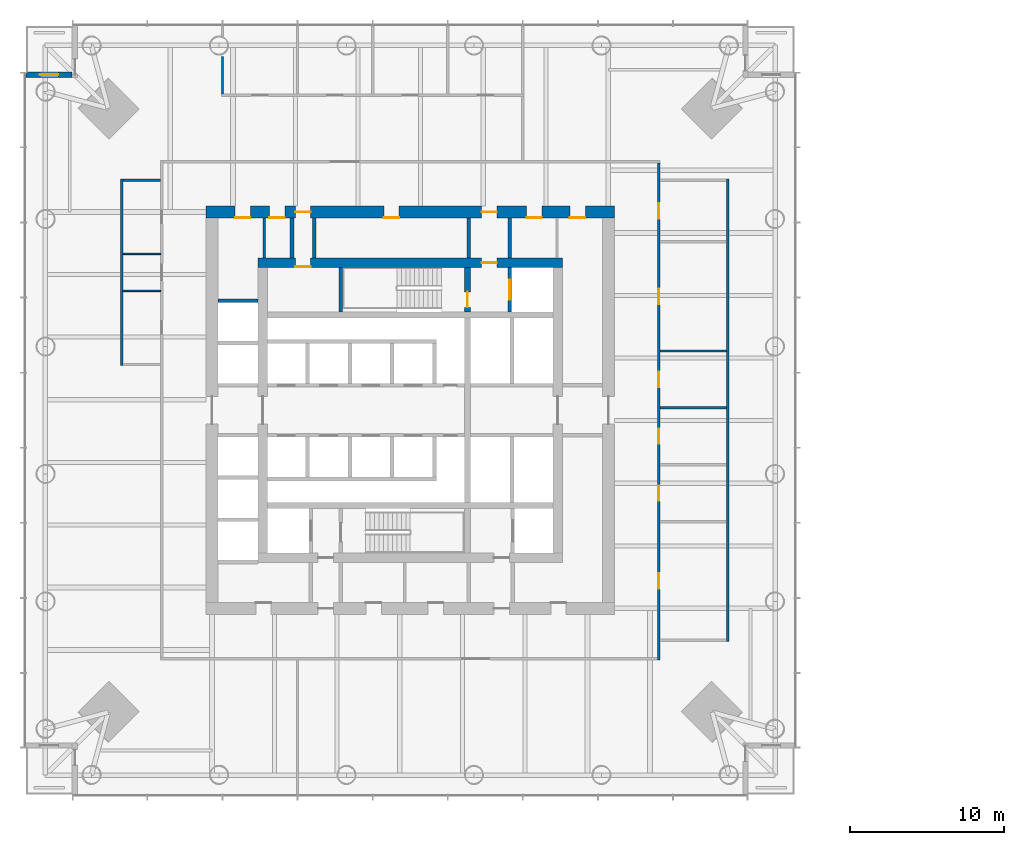
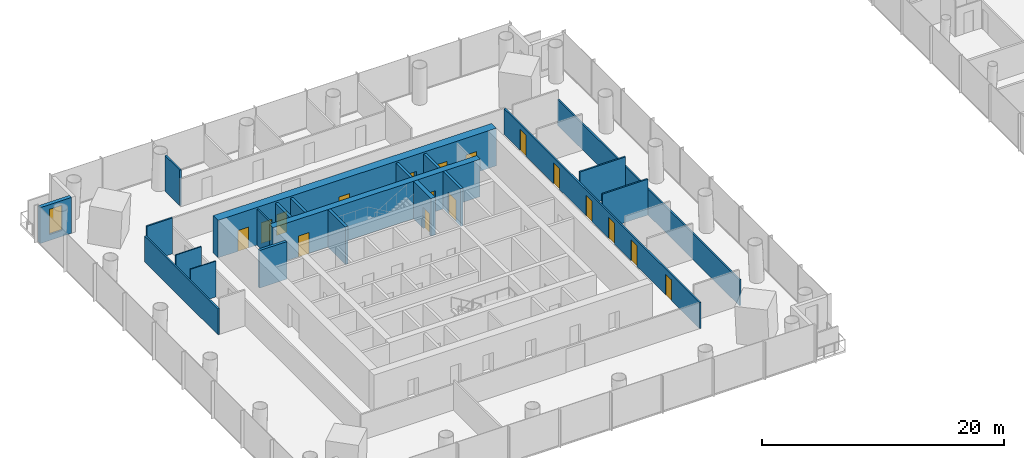
# One storey, part 11 of 20: 21 walls, 17 doors, 1 window, 18 openings.
"""IFC4 building model written with IfcOpenShell, lengths in metres."""

from ifc_helpers import new_model, si_unit, direction, frame, frame_2d, origin, place, context, subcontext, project, spatial, rectangle, extrude, material, layer, layer_set, type_object, element, fill, save


model = new_model("IFC4")

# Units and contexts
model_context = context("Model", 3, precision=1e-05, world=origin(), true_north=direction((0.0, 1.0)))
body_context = subcontext(model_context, "Body", "Model", "MODEL_VIEW")
ifc_project = project(units=[si_unit("LENGTHUNIT", "METRE"), si_unit("AREAUNIT", "SQUARE_METRE"), si_unit("VOLUMEUNIT", "CUBIC_METRE"), si_unit("PLANEANGLEUNIT", "RADIAN"), si_unit("MASSUNIT", "GRAM", prefix="KILO")], contexts=[model_context])

# Site, building, storey
site_placement = place(None, origin())
site = spatial("IfcSite", under=ifc_project, at=site_placement, CompositionType="ELEMENT")
building_placement = place(site_placement, origin())
building = spatial("IfcBuilding", under=site, at=building_placement, Name="Ostroluk Exchange", CompositionType="ELEMENT")
storey_placement = place(building_placement, frame((0.0, 0.0, 28.60009765625)))
storey = spatial("IfcBuildingStorey", under=building, at=storey_placement, Name="L06", CompositionType="ELEMENT", Elevation=28.60009765625)

# Walls
ifc_material_1 = material(Name="Concrete blockwork", Category="masonry")
ifc_layer_1 = layer(ifc_material_1, 0.10009765625)
ifc_layer_set_1 = layer_set([ifc_layer_1], Name="Blockwork WC wall 100")
wall_type_1 = type_object("IfcWallType", Name="Blockwork WC wall 100", PredefinedType="SOLIDWALL", material=ifc_layer_set_1)
for number, where, z_axis, x_axis, name in (
    (1, (28.75, 56.175048828125, 0.0), (0.0, 0.0, 1.0), (-1.0, 0.0, 0.0), "Blockwork WC wall"),
    (2, (28.75, 53.77490234375, 0.0), (0.0, 0.0, 1.0), (-1.0, 0.0, 0.0), "Blockwork WC wall"),
):
    element("IfcWall", number, at=place(storey_placement, frame(where, z_axis=z_axis, x_axis=x_axis)), inside=storey, type_object=wall_type_1, Name=name, PredefinedType="SOLIDWALL", context=body_context, shape_type="SweptSolid", body=[
        extrude(rectangle(XDim=2.449951171875, YDim=0.10009765625, at=frame_2d((1.22509765625, 0.0))), origin(), (0.0, 0.0, 1.0), 3.619873046875),
    ])
ifc_material_2 = material(Name="Concrete blockwork", Category="masonry")
ifc_layer_2 = layer(ifc_material_2, 0.14990234375)
ifc_layer_set_2 = layer_set([ifc_layer_2], Name="Blockwork plant room wall 150")
wall_type_2 = type_object("IfcWallType", Name="Blockwork plant room wall 150", PredefinedType="SOLIDWALL", material=ifc_layer_set_2)
wall_1_placement = place(storey_placement, frame((35.491943359375, 55.89990234375, 0.0), z_axis=(0.0, 0.0, 1.0), x_axis=(0.0, 1.0, 0.0)))
element("IfcWall", 3, at=wall_1_placement, inside=storey, type_object=wall_type_2, Name="Core room wall", PredefinedType="SOLIDWALL", context=body_context, shape_type="SweptSolid", body=[
    extrude(rectangle(XDim=2.60009765625, YDim=0.14990234375, at=frame_2d((1.300048828125, 0.0))), origin(), (0.0, 0.0, 1.0), 3.619873046875),
])
ifc_material_3 = material(Name="Concrete blockwork", Category="masonry")
ifc_layer_3 = layer(ifc_material_3, 0.25)
ifc_layer_set_3 = layer_set([ifc_layer_3], Name="Blockwork stair enclosure wall 250")
wall_type_3 = type_object("IfcWallType", Name="Blockwork stair enclosure wall 250", PredefinedType="SOLIDWALL", material=ifc_layer_set_3)
for number, where, z_axis, x_axis, name in (
    (4, (48.804931640625, 55.89990234375, 0.0), (0.0, 0.0, 1.0), (0.0, 1.0, 0.0), "Fire lobby enclosure wall"),
    (5, (51.47509765625, 55.89990234375, 0.0), (0.0, 0.0, 1.0), (0.0, 1.0, 0.0), "Fire lobby enclosure wall"),
    (6, (37.300048828125, 55.89990234375, 0.0), (0.0, 0.0, 1.0), (0.0, 1.0, 0.0), "Core corridor wall"),
    (7, (38.75, 55.89990234375, 0.0), (0.0, 0.0, 1.0), (0.0, 1.0, 0.0), "Core corridor wall"),
):
    element("IfcWall", number, at=place(storey_placement, frame(where, z_axis=z_axis, x_axis=x_axis)), inside=storey, type_object=wall_type_3, Name=name, PredefinedType="SOLIDWALL", context=body_context, shape_type="SweptSolid", body=[
        extrude(rectangle(XDim=2.60009765625, YDim=0.25, at=frame_2d((1.300048828125, 0.0))), origin(), (0.0, 0.0, 1.0), 3.619873046875),
    ])

# Wall, opening, door
ifc_material_4 = material(Name="Concrete C50/60", Category="concrete")
ifc_layer_4 = layer(ifc_material_4, 0.39990234375)
ifc_layer_set_4 = layer_set([ifc_layer_4], Name="Core cross wall 400 C50/60")
wall_type_4 = type_object("IfcWallType", Name="Core cross wall 400 C50/60", PredefinedType="SHEAR", material=ifc_layer_set_4)
wall_2_placement = place(storey_placement, frame((48.72998046875, 52.39990234375, 0.0), z_axis=(0.0, 0.0, 1.0), x_axis=(0.0, 1.0, 0.0)))
wall_2 = element("IfcWall", 8, at=wall_2_placement, inside=storey, type_object=wall_type_4, Name="T1 core wall YE3", PredefinedType="SHEAR", context=body_context, shape_type="SweptSolid", body=[
    extrude(rectangle(XDim=2.900146484375, YDim=0.39990234375, at=frame_2d((1.4501953125, 0.0))), origin(), (0.0, 0.0, 1.0), 3.7998046875),
])
opening_1_placement = place(wall_2_placement, frame((0.300048828125, 0.0, 0.0)))
opening_1 = element("IfcOpeningElement", 9, at=opening_1_placement, cuts=wall_2, Name="Opening FD60", PredefinedType="OPENING", context=body_context, shape_type="SweptSolid", body=[
    extrude(rectangle(XDim=1.0, YDim=2.10009765625, at=frame_2d((0.5, 1.050048828125))), frame((0.0, 0.2099609375, 0.0), z_axis=(0.0, -1.0, 0.0), x_axis=(1.0, 0.0, 0.0)), (0.0, 0.0, 1.0), 0.419921875),
])
ifc_material_5 = material(Name="Steel", Category="steel")
door_type_1 = type_object("IfcDoorType", Name="Fire door EI 60 1000 x 2100", OperationType="SINGLE_SWING_LEFT", PredefinedType="DOOR", material=ifc_material_5)
door_1_placement = place(opening_1_placement, origin())
door_1 = element("IfcDoor", 10, at=door_1_placement, inside=storey, type_object=door_type_1, Name="Stair T1-S2 door", OperationType="SINGLE_SWING_LEFT", OverallHeight=2.10009765625, OverallWidth=1.0, PredefinedType="DOOR", context=body_context, shape_type="SweptSolid", body=[
    extrude(rectangle(XDim=1.0, YDim=2.10009765625, at=frame_2d((0.5, 1.050048828125))), frame((0.0, 0.02490234375, 0.0), z_axis=(0.0, -1.0, 0.0), x_axis=(1.0, 0.0, 0.0)), (0.0, 0.0, 1.0), 0.050048828125),
])
fill(opening_1, door_1)

# Wall
ifc_material_6 = material(Name="Concrete C40/50", Category="concrete")
ifc_layer_5 = layer(ifc_material_6, 0.25)
ifc_layer_set_5 = layer_set([ifc_layer_5], Name="Core shaft wall 250")
wall_type_5 = type_object("IfcWallType", Name="Core shaft wall 250", PredefinedType="SHEAR", material=ifc_layer_set_5)
wall_3_placement = place(storey_placement, frame((40.47509765625, 52.39990234375, 0.0), z_axis=(0.0, 0.0, 1.0), x_axis=(0.0, 1.0, 0.0)))
element("IfcWall", 11, at=wall_3_placement, inside=storey, type_object=wall_type_5, Name="Stair shaft wall", PredefinedType="SHEAR", context=body_context, shape_type="SweptSolid", body=[
    extrude(rectangle(XDim=2.900146484375, YDim=0.25, at=frame_2d((1.4501953125, 0.0))), origin(), (0.0, 0.0, 1.0), 3.7998046875),
])

# Wall, opening, door
wall_4_placement = place(storey_placement, frame((51.47509765625, 52.39990234375, 0.0), z_axis=(0.0, 0.0, 1.0), x_axis=(0.0, 1.0, 0.0)))
wall_4 = element("IfcWall", 12, at=wall_4_placement, inside=storey, type_object=wall_type_5, Name="Firefighting lift shaft wall", PredefinedType="SHEAR", context=body_context, shape_type="SweptSolid", body=[
    extrude(rectangle(XDim=2.900146484375, YDim=0.25, at=frame_2d((1.4501953125, 0.0))), origin(), (0.0, 0.0, 1.0), 3.7998046875),
])
opening_2_placement = place(wall_4_placement, frame((0.800048828125, 0.0, 0.0)))
opening_2 = element("IfcOpeningElement", 13, at=opening_2_placement, cuts=wall_4, Name="Opening LD2", PredefinedType="OPENING", context=body_context, shape_type="SweptSolid", body=[
    extrude(rectangle(XDim=1.300048828125, YDim=2.199951171875, at=frame_2d((0.64990234375, 1.10009765625))), frame((0.0, 0.135009765625, 0.0), z_axis=(0.0, -1.0, 0.0), x_axis=(1.0, 0.0, 0.0)), (0.0, 0.0, 1.0), 0.27001953125),
])
ifc_material_7 = material(Name="Stainless steel", Category="steel")
door_type_2 = type_object("IfcDoorType", Name="Lift landing door E 60 1300 x 2200", OperationType="DOUBLE_DOOR_SLIDING", PredefinedType="DOOR", material=ifc_material_7)
door_2_placement = place(opening_2_placement, origin())
door_2 = element("IfcDoor", 14, at=door_2_placement, inside=storey, type_object=door_type_2, Name="Lift FL2 landing door", OperationType="DOUBLE_DOOR_SLIDING", OverallHeight=2.199951171875, OverallWidth=1.300048828125, PredefinedType="DOOR", context=body_context, shape_type="SweptSolid", body=[
    extrude(rectangle(XDim=1.300048828125, YDim=2.199951171875, at=frame_2d((0.64990234375, 1.10009765625))), frame((0.0, 0.02490234375, 0.0), z_axis=(0.0, -1.0, 0.0), x_axis=(1.0, 0.0, 0.0)), (0.0, 0.0, 1.0), 0.050048828125),
])
fill(opening_2, door_2)

# Wall
wall_5_placement = place(storey_placement, frame((32.5, 53.125, 0.0), z_axis=(0.0, 0.0, 1.0), x_axis=(1.0, 0.0, 0.0)))
element("IfcWall", 15, at=wall_5_placement, inside=storey, type_object=wall_type_5, Name="Lift shaft wall", PredefinedType="SHEAR", context=body_context, shape_type="SweptSolid", body=[
    extrude(rectangle(XDim=2.60009765625, YDim=0.25, at=frame_2d((1.300048828125, 0.0))), origin(), (0.0, 0.0, 1.0), 3.7998046875),
])

# Wall, openings, doors
ifc_material_8 = material(Name="Concrete C50/60", Category="concrete")
ifc_layer_6 = layer(ifc_material_8, 0.60009765625)
ifc_layer_set_6 = layer_set([ifc_layer_6], Name="Core wall 600 C50/60")
wall_type_6 = type_object("IfcWallType", Name="Core wall 600 C50/60", PredefinedType="SHEAR", material=ifc_layer_set_6)
wall_6_placement = place(storey_placement, frame((35.10009765625, 55.60009765625, 0.0), z_axis=(0.0, 0.0, 1.0), x_axis=(1.0, 0.0, 0.0)))
wall_6 = element("IfcWall", 16, at=wall_6_placement, inside=storey, type_object=wall_type_6, Name="T1 core wall N", PredefinedType="SHEAR", context=body_context, shape_type="SweptSolid", body=[
    extrude(rectangle(XDim=19.7998046875, YDim=0.60009765625, at=frame_2d((9.89990234375, 0.0))), origin(), (0.0, 0.0, 1.0), 3.7998046875),
])
opening_3_placement = place(wall_6_placement, frame((14.5400390625, 0.0, 0.0)))
opening_3 = element("IfcOpeningElement", 17, at=opening_3_placement, cuts=wall_6, Name="Opening FD60", PredefinedType="OPENING", context=body_context, shape_type="SweptSolid", body=[
    extrude(rectangle(XDim=1.0, YDim=2.10009765625, at=frame_2d((0.5, 1.050048828125))), frame((0.0, 0.31005859375, 0.0), z_axis=(0.0, -1.0, 0.0), x_axis=(1.0, 0.0, 0.0)), (0.0, 0.0, 1.0), 0.6201171875),
])
opening_4_placement = place(wall_6_placement, frame((2.425048828125, 0.0, 0.0)))
opening_4 = element("IfcOpeningElement", 18, at=opening_4_placement, cuts=wall_6, Name="Opening FD60", PredefinedType="OPENING", context=body_context, shape_type="SweptSolid", body=[
    extrude(rectangle(XDim=1.0, YDim=2.10009765625, at=frame_2d((0.5, 1.050048828125))), frame((0.0, 0.31005859375, 0.0), z_axis=(0.0, -1.0, 0.0), x_axis=(1.0, 0.0, 0.0)), (0.0, 0.0, 1.0), 0.6201171875),
])
door_3_placement = place(opening_3_placement, origin())
door_3 = element("IfcDoor", 19, at=door_3_placement, inside=storey, type_object=door_type_1, Name="Firefighting lobby door", OperationType="SINGLE_SWING_RIGHT", OverallHeight=2.10009765625, OverallWidth=1.0, PredefinedType="DOOR", context=body_context, shape_type="SweptSolid", body=[
    extrude(rectangle(XDim=1.0, YDim=2.10009765625, at=frame_2d((0.5, 1.050048828125))), frame((0.0, 0.02490234375, 0.0), z_axis=(0.0, -1.0, 0.0), x_axis=(1.0, 0.0, 0.0)), (0.0, 0.0, 1.0), 0.050048828125),
])
fill(opening_3, door_3)
door_4_placement = place(opening_4_placement, origin())
door_4 = element("IfcDoor", 20, at=door_4_placement, inside=storey, type_object=door_type_1, Name="Tea point door", OperationType="SINGLE_SWING_LEFT", OverallHeight=2.10009765625, OverallWidth=1.0, PredefinedType="DOOR", context=body_context, shape_type="SweptSolid", body=[
    extrude(rectangle(XDim=1.0, YDim=2.10009765625, at=frame_2d((0.5, 1.050048828125))), frame((0.0, -0.23974609375, 0.0), z_axis=(0.0, -1.0, 0.0), x_axis=(1.0, 0.0, 0.0)), (0.0, 0.0, 1.0), 0.050048828125),
])
fill(opening_4, door_4)

ifc_material_9 = material(Name="Concrete C50/60", Category="concrete")
ifc_layer_7 = layer(ifc_material_9, 0.800048828125)
ifc_layer_set_7 = layer_set([ifc_layer_7], Name="Core wall 800 C50/60")
wall_type_7 = type_object("IfcWallType", Name="Core wall 800 C50/60", PredefinedType="SHEAR", material=ifc_layer_set_7)
wall_7_placement = place(storey_placement, frame((31.699951171875, 58.89990234375, 0.0), z_axis=(0.0, 0.0, 1.0), x_axis=(1.0, 0.0, 0.0)))
wall_7 = element("IfcWall", 21, at=wall_7_placement, inside=storey, type_object=wall_type_7, Name="T1 core wall RN", PredefinedType="SHEAR", context=body_context, shape_type="SweptSolid", body=[
    extrude(rectangle(XDim=26.60009765625, YDim=0.800048828125, at=frame_2d((13.300048828125, 0.0))), origin(), (0.0, 0.0, 1.0), 3.7998046875),
])
opening_5_placement = place(wall_7_placement, frame((17.93994140625, 0.0, 0.0)))
opening_5 = element("IfcOpeningElement", 22, at=opening_5_placement, cuts=wall_7, Name="Opening FD60", PredefinedType="OPENING", context=body_context, shape_type="SweptSolid", body=[
    extrude(rectangle(XDim=1.0, YDim=2.10009765625, at=frame_2d((0.5, 1.050048828125))), frame((0.0, 0.409912109375, 0.0), z_axis=(0.0, -1.0, 0.0), x_axis=(1.0, 0.0, 0.0)), (0.0, 0.0, 1.0), 0.820068359375),
])
opening_6_placement = place(wall_7_placement, frame((5.824951171875, 0.0, 0.0)))
opening_6 = element("IfcOpeningElement", 23, at=opening_6_placement, cuts=wall_7, Name="Opening FD60", PredefinedType="OPENING", context=body_context, shape_type="SweptSolid", body=[
    extrude(rectangle(XDim=1.0, YDim=2.10009765625, at=frame_2d((0.5, 1.050048828125))), frame((0.0, 0.409912109375, 0.0), z_axis=(0.0, -1.0, 0.0), x_axis=(1.0, 0.0, 0.0)), (0.0, 0.0, 1.0), 0.820068359375),
])
opening_7_placement = place(wall_7_placement, frame((1.89990234375, 0.0, 0.0)))
opening_7 = element("IfcOpeningElement", 24, at=opening_7_placement, cuts=wall_7, Name="Opening FD60", PredefinedType="OPENING", context=body_context, shape_type="SweptSolid", body=[
    extrude(rectangle(XDim=1.0, YDim=2.10009765625, at=frame_2d((0.5, 1.050048828125))), frame((0.0, 0.409912109375, 0.0), z_axis=(0.0, -1.0, 0.0), x_axis=(1.0, 0.0, 0.0)), (0.0, 0.0, 1.0), 0.820068359375),
])
opening_8_placement = place(wall_7_placement, frame((4.133544921875, 0.0, 0.0)))
opening_8 = element("IfcOpeningElement", 25, at=opening_8_placement, cuts=wall_7, Name="Opening FD60", PredefinedType="OPENING", context=body_context, shape_type="SweptSolid", body=[
    extrude(rectangle(XDim=1.0, YDim=2.10009765625, at=frame_2d((0.5, 1.050048828125))), frame((0.0, 0.409912109375, 0.0), z_axis=(0.0, -1.0, 0.0), x_axis=(1.0, 0.0, 0.0)), (0.0, 0.0, 1.0), 0.820068359375),
])
opening_9_placement = place(wall_7_placement, frame((11.577392578125, 0.0, 0.0)))
opening_9 = element("IfcOpeningElement", 26, at=opening_9_placement, cuts=wall_7, Name="Opening FD60", PredefinedType="OPENING", context=body_context, shape_type="SweptSolid", body=[
    extrude(rectangle(XDim=1.0, YDim=2.10009765625, at=frame_2d((0.5, 1.050048828125))), frame((0.0, 0.409912109375, 0.0), z_axis=(0.0, -1.0, 0.0), x_axis=(1.0, 0.0, 0.0)), (0.0, 0.0, 1.0), 0.820068359375),
])
opening_10_placement = place(wall_7_placement, frame((20.875, 0.0, 0.0)))
opening_10 = element("IfcOpeningElement", 27, at=opening_10_placement, cuts=wall_7, Name="Opening FD60", PredefinedType="OPENING", context=body_context, shape_type="SweptSolid", body=[
    extrude(rectangle(XDim=1.0, YDim=2.10009765625, at=frame_2d((0.5, 1.050048828125))), frame((0.0, 0.409912109375, 0.0), z_axis=(0.0, -1.0, 0.0), x_axis=(1.0, 0.0, 0.0)), (0.0, 0.0, 1.0), 0.820068359375),
])
opening_11_placement = place(wall_7_placement, frame((23.699951171875, 0.0, 0.0)))
opening_11 = element("IfcOpeningElement", 28, at=opening_11_placement, cuts=wall_7, Name="Opening FD60", PredefinedType="OPENING", context=body_context, shape_type="SweptSolid", body=[
    extrude(rectangle(XDim=1.0, YDim=2.10009765625, at=frame_2d((0.5, 1.050048828125))), frame((0.0, 0.409912109375, 0.0), z_axis=(0.0, -1.0, 0.0), x_axis=(1.0, 0.0, 0.0)), (0.0, 0.0, 1.0), 0.820068359375),
])
door_5_placement = place(opening_5_placement, origin())
door_5 = element("IfcDoor", 29, at=door_5_placement, inside=storey, type_object=door_type_1, Name="Firefighting lobby door", OperationType="SINGLE_SWING_RIGHT", OverallHeight=2.10009765625, OverallWidth=1.0, PredefinedType="DOOR", context=body_context, shape_type="SweptSolid", body=[
    extrude(rectangle(XDim=1.0, YDim=2.10009765625, at=frame_2d((0.5, 1.050048828125))), frame((0.0, 0.02490234375, 0.0), z_axis=(0.0, -1.0, 0.0), x_axis=(1.0, 0.0, 0.0)), (0.0, 0.0, 1.0), 0.050048828125),
])
fill(opening_5, door_5)
door_6_placement = place(opening_6_placement, origin())
door_6 = element("IfcDoor", 30, at=door_6_placement, inside=storey, type_object=door_type_1, Name="Core corridor door", OperationType="SINGLE_SWING_LEFT", OverallHeight=2.10009765625, OverallWidth=1.0, PredefinedType="DOOR", context=body_context, shape_type="SweptSolid", body=[
    extrude(rectangle(XDim=1.0, YDim=2.10009765625, at=frame_2d((0.5, 1.050048828125))), frame((0.0, 0.02490234375, 0.0), z_axis=(0.0, -1.0, 0.0), x_axis=(1.0, 0.0, 0.0)), (0.0, 0.0, 1.0), 0.050048828125),
])
fill(opening_6, door_6)
door_7_placement = place(opening_7_placement, origin())
door_7 = element("IfcDoor", 31, at=door_7_placement, inside=storey, type_object=door_type_1, Name="Tenant IT room door", OperationType="SINGLE_SWING_LEFT", OverallHeight=2.10009765625, OverallWidth=1.0, PredefinedType="DOOR", context=body_context, shape_type="SweptSolid", body=[
    extrude(rectangle(XDim=1.0, YDim=2.10009765625, at=frame_2d((0.5, 1.050048828125))), frame((0.0, -0.33984375, 0.0), z_axis=(0.0, -1.0, 0.0), x_axis=(1.0, 0.0, 0.0)), (0.0, 0.0, 1.0), 0.050048828125),
])
fill(opening_7, door_7)
door_8_placement = place(opening_8_placement, origin())
door_8 = element("IfcDoor", 32, at=door_8_placement, inside=storey, type_object=door_type_1, Name="Store door", OperationType="SINGLE_SWING_LEFT", OverallHeight=2.10009765625, OverallWidth=1.0, PredefinedType="DOOR", context=body_context, shape_type="SweptSolid", body=[
    extrude(rectangle(XDim=1.0, YDim=2.10009765625, at=frame_2d((0.5, 1.050048828125))), frame((0.0, -0.33984375, 0.0), z_axis=(0.0, -1.0, 0.0), x_axis=(1.0, 0.0, 0.0)), (0.0, 0.0, 1.0), 0.050048828125),
])
fill(opening_8, door_8)
door_9_placement = place(opening_9_placement, origin())
door_9 = element("IfcDoor", 33, at=door_9_placement, inside=storey, type_object=door_type_1, Name="Print and post room door", OperationType="SINGLE_SWING_LEFT", OverallHeight=2.10009765625, OverallWidth=1.0, PredefinedType="DOOR", context=body_context, shape_type="SweptSolid", body=[
    extrude(rectangle(XDim=1.0, YDim=2.10009765625, at=frame_2d((0.5, 1.050048828125))), frame((0.0, -0.33984375, 0.0), z_axis=(0.0, -1.0, 0.0), x_axis=(1.0, 0.0, 0.0)), (0.0, 0.0, 1.0), 0.050048828125),
])
fill(opening_9, door_9)
door_10_placement = place(opening_10_placement, origin())
door_10 = element("IfcDoor", 34, at=door_10_placement, inside=storey, type_object=door_type_1, Name="First aid room door", OperationType="SINGLE_SWING_RIGHT", OverallHeight=2.10009765625, OverallWidth=1.0, PredefinedType="DOOR", context=body_context, shape_type="SweptSolid", body=[
    extrude(rectangle(XDim=1.0, YDim=2.10009765625, at=frame_2d((0.5, 1.050048828125))), frame((0.0, -0.33984375, 0.0), z_axis=(0.0, -1.0, 0.0), x_axis=(1.0, 0.0, 0.0)), (0.0, 0.0, 1.0), 0.050048828125),
])
fill(opening_10, door_10)
door_11_placement = place(opening_11_placement, origin())
door_11 = element("IfcDoor", 35, at=door_11_placement, inside=storey, type_object=door_type_1, Name="Tea point door", OperationType="SINGLE_SWING_RIGHT", OverallHeight=2.10009765625, OverallWidth=1.0, PredefinedType="DOOR", context=body_context, shape_type="SweptSolid", body=[
    extrude(rectangle(XDim=1.0, YDim=2.10009765625, at=frame_2d((0.5, 1.050048828125))), frame((0.0, -0.33984375, 0.0), z_axis=(0.0, -1.0, 0.0), x_axis=(1.0, 0.0, 0.0)), (0.0, 0.0, 1.0), 0.050048828125),
])
fill(opening_11, door_11)

# Wall, opening, window
ifc_material_10 = material(Name="Limestone", Category="masonry")
ifc_layer_8 = layer(ifc_material_10, 0.35009765625)
ifc_layer_set_8 = layer_set([ifc_layer_8], Name="Limestone facade wall 350")
wall_type_8 = type_object("IfcWallType", Name="Limestone facade wall 350", PredefinedType="SOLIDWALL", material=ifc_layer_set_8)
wall_8_placement = place(storey_placement, frame((23.0, 67.824951171875, 0.0), z_axis=(0.0, 0.0, 1.0), x_axis=(-1.0, 0.0, 0.0)))
wall_8 = element("IfcWall", 36, at=wall_8_placement, inside=storey, type_object=wall_type_8, Name="Office tower NW corner wall L06 b", PredefinedType="SOLIDWALL", context=body_context, shape_type="SweptSolid", body=[
    extrude(rectangle(XDim=3.0, YDim=0.35009765625, at=frame_2d((1.5, 0.0))), origin(), (0.0, 0.0, 1.0), 3.619873046875),
])
opening_12_placement = place(wall_8_placement, frame((0.89990234375, 0.0, 0.60009765625)))
opening_12 = element("IfcOpeningElement", 37, at=opening_12_placement, cuts=wall_8, Name="Opening WN-L1", PredefinedType="OPENING", context=body_context, shape_type="SweptSolid", body=[
    extrude(rectangle(XDim=1.199951171875, YDim=2.550048828125, at=frame_2d((0.60009765625, 1.27490234375))), frame((0.0, 0.18505859375, 0.0), z_axis=(0.0, -1.0, 0.0), x_axis=(1.0, 0.0, 0.0)), (0.0, 0.0, 1.0), 0.3701171875),
])
ifc_material_11 = material(Name="Laminated clear glass", Category="glass")
window_type = type_object("IfcWindowType", Name="Lancet window 1200 x 2550", PartitioningType="SINGLE_PANEL", PredefinedType="WINDOW", material=ifc_material_11)
window_placement = place(opening_12_placement, origin())
window = element("IfcWindow", 38, at=window_placement, inside=storey, type_object=window_type, Name="Office tower NW lancet window L06", OverallHeight=2.550048828125, OverallWidth=1.199951171875, PartitioningType="SINGLE_PANEL", PredefinedType="WINDOW", context=body_context, shape_type="SweptSolid", body=[
    extrude(rectangle(XDim=1.199951171875, YDim=2.550048828125, at=frame_2d((0.60009765625, 1.27490234375))), frame((0.0, 0.030029296875, 0.0), z_axis=(0.0, -1.0, 0.0), x_axis=(1.0, 0.0, 0.0)), (0.0, 0.0, 1.0), 0.06005859375),
])
fill(opening_12, window)

# Walls
ifc_material_12 = material(Name="Gypsum plasterboard partition", Category="gypsum")
ifc_layer_9 = layer(ifc_material_12, 0.14990234375)
ifc_layer_set_9 = layer_set([ifc_layer_9], Name="Plasterboard partition 150")
wall_type_9 = type_object("IfcWallType", Name="Plasterboard partition 150", PredefinedType="PARTITIONING", material=ifc_layer_set_9)
for number, where, z_axis, x_axis, name in (
    (39, (61.25, 46.154296875, 0.0), (0.0, 0.0, 1.0), (1.0, 0.0, 0.0), "Partition"),
    (40, (61.25, 49.859619140625, 0.0), (0.0, 0.0, 1.0), (1.0, 0.0, 0.0), "Partition"),
):
    element("IfcWall", number, at=place(storey_placement, frame(where, z_axis=z_axis, x_axis=x_axis)), inside=storey, type_object=wall_type_9, Name=name, PredefinedType="PARTITIONING", context=body_context, shape_type="SweptSolid", body=[
        extrude(rectangle(XDim=4.35009765625, YDim=0.14990234375, at=frame_2d((2.175048828125, 0.0))), origin(), (0.0, 0.0, 1.0), 3.619873046875),
    ])
wall_9_placement = place(storey_placement, frame((65.675048828125, 30.949951171875, 0.0), z_axis=(0.0, 0.0, 1.0), x_axis=(0.0, 1.0, 0.0)))
element("IfcWall", 41, at=wall_9_placement, inside=storey, type_object=wall_type_9, Name="Partition", PredefinedType="PARTITIONING", context=body_context, shape_type="SweptSolid", body=[
    extrude(rectangle(XDim=30.10009765625, YDim=0.14990234375, at=frame_2d((15.050048828125, 0.0))), origin(), (0.0, 0.0, 1.0), 2.61181640625),
])
wall_10_placement = place(storey_placement, frame((32.77783203125, 66.574951171875, 0.0), z_axis=(0.0, 0.0, 1.0), x_axis=(0.0, 1.0, 0.0)))
element("IfcWall", 42, at=wall_10_placement, inside=storey, type_object=wall_type_9, Name="Partition", PredefinedType="PARTITIONING", context=body_context, shape_type="SweptSolid", body=[
    extrude(rectangle(XDim=2.451171875, YDim=0.14990234375, at=frame_2d((1.2255859375, 0.0))), origin(), (0.0, 0.0, 1.0), 3.619873046875),
])

# Wall, openings, doors
wall_11_placement = place(storey_placement, frame((61.175048828125, 29.75, 0.0), z_axis=(0.0, 0.0, 1.0), x_axis=(0.0, 1.0, 0.0)))
wall_11 = element("IfcWall", 43, at=wall_11_placement, inside=storey, type_object=wall_type_9, Name="Corridor wall", PredefinedType="PARTITIONING", context=body_context, shape_type="SweptSolid", body=[
    extrude(rectangle(XDim=32.35009765625, YDim=0.14990234375, at=frame_2d((16.175048828125, 0.0))), origin(), (0.0, 0.0, 1.0), 2.61181640625),
])
opening_13_placement = place(wall_11_placement, frame((4.634521484375, 0.0, 0.0)))
opening_13 = element("IfcOpeningElement", 44, at=opening_13_placement, cuts=wall_11, Name="Opening D-03", PredefinedType="OPENING", context=body_context, shape_type="SweptSolid", body=[
    extrude(rectangle(XDim=1.0, YDim=2.10009765625, at=frame_2d((0.5, 1.050048828125))), frame((0.0, 0.0849609375, 0.0), z_axis=(0.0, -1.0, 0.0), x_axis=(1.0, 0.0, 0.0)), (0.0, 0.0, 1.0), 0.169921875),
])
opening_14_placement = place(wall_11_placement, frame((10.3466796875, 0.0, 0.0)))
opening_14 = element("IfcOpeningElement", 45, at=opening_14_placement, cuts=wall_11, Name="Opening D-03", PredefinedType="OPENING", context=body_context, shape_type="SweptSolid", body=[
    extrude(rectangle(XDim=1.0, YDim=2.10009765625, at=frame_2d((0.5, 1.050048828125))), frame((0.0, 0.0849609375, 0.0), z_axis=(0.0, -1.0, 0.0), x_axis=(1.0, 0.0, 0.0)), (0.0, 0.0, 1.0), 0.169921875),
])
opening_15_placement = place(wall_11_placement, frame((14.0517578125, 0.0, 0.0)))
opening_15 = element("IfcOpeningElement", 46, at=opening_15_placement, cuts=wall_11, Name="Opening D-03", PredefinedType="OPENING", context=body_context, shape_type="SweptSolid", body=[
    extrude(rectangle(XDim=1.0, YDim=2.10009765625, at=frame_2d((0.5, 1.050048828125))), frame((0.0, 0.0849609375, 0.0), z_axis=(0.0, -1.0, 0.0), x_axis=(1.0, 0.0, 0.0)), (0.0, 0.0, 1.0), 0.169921875),
])
opening_16_placement = place(wall_11_placement, frame((17.757080078125, 0.0, 0.0)))
opening_16 = element("IfcOpeningElement", 47, at=opening_16_placement, cuts=wall_11, Name="Opening D-03", PredefinedType="OPENING", context=body_context, shape_type="SweptSolid", body=[
    extrude(rectangle(XDim=1.0, YDim=2.10009765625, at=frame_2d((0.5, 1.050048828125))), frame((0.0, 0.0849609375, 0.0), z_axis=(0.0, -1.0, 0.0), x_axis=(1.0, 0.0, 0.0)), (0.0, 0.0, 1.0), 0.169921875),
])
opening_17_placement = place(wall_11_placement, frame((23.160400390625, 0.0, 0.0)))
opening_17 = element("IfcOpeningElement", 48, at=opening_17_placement, cuts=wall_11, Name="Opening D-03", PredefinedType="OPENING", context=body_context, shape_type="SweptSolid", body=[
    extrude(rectangle(XDim=1.0, YDim=2.10009765625, at=frame_2d((0.5, 1.050048828125))), frame((0.0, 0.0849609375, 0.0), z_axis=(0.0, -1.0, 0.0), x_axis=(1.0, 0.0, 0.0)), (0.0, 0.0, 1.0), 0.169921875),
])
opening_18_placement = place(wall_11_placement, frame((28.718017578125, 0.0, 0.0)))
opening_18 = element("IfcOpeningElement", 49, at=opening_18_placement, cuts=wall_11, Name="Opening D-03", PredefinedType="OPENING", context=body_context, shape_type="SweptSolid", body=[
    extrude(rectangle(XDim=1.0, YDim=2.10009765625, at=frame_2d((0.5, 1.050048828125))), frame((0.0, 0.0849609375, 0.0), z_axis=(0.0, -1.0, 0.0), x_axis=(1.0, 0.0, 0.0)), (0.0, 0.0, 1.0), 0.169921875),
])
ifc_material_13 = material(Name="Timber", Category="wood")
door_type_3 = type_object("IfcDoorType", Name="Internal door 1000 x 2100", OperationType="SINGLE_SWING_LEFT", PredefinedType="DOOR", material=ifc_material_13)
door_12_placement = place(opening_13_placement, origin())
door_12 = element("IfcDoor", 50, at=door_12_placement, inside=storey, type_object=door_type_3, Name="Meeting room door", OperationType="SINGLE_SWING_LEFT", OverallHeight=2.10009765625, OverallWidth=1.0, PredefinedType="DOOR", context=body_context, shape_type="SweptSolid", body=[
    extrude(rectangle(XDim=1.0, YDim=2.10009765625, at=frame_2d((0.5, 1.050048828125))), frame((0.0, 0.02490234375, 0.0), z_axis=(0.0, -1.0, 0.0), x_axis=(1.0, 0.0, 0.0)), (0.0, 0.0, 1.0), 0.050048828125),
])
fill(opening_13, door_12)
door_13_placement = place(opening_14_placement, origin())
door_13 = element("IfcDoor", 51, at=door_13_placement, inside=storey, type_object=door_type_3, Name="Focus room door", OperationType="SINGLE_SWING_LEFT", OverallHeight=2.10009765625, OverallWidth=1.0, PredefinedType="DOOR", context=body_context, shape_type="SweptSolid", body=[
    extrude(rectangle(XDim=1.0, YDim=2.10009765625, at=frame_2d((0.5, 1.050048828125))), frame((0.0, 0.02490234375, 0.0), z_axis=(0.0, -1.0, 0.0), x_axis=(1.0, 0.0, 0.0)), (0.0, 0.0, 1.0), 0.050048828125),
])
fill(opening_14, door_13)
door_14_placement = place(opening_15_placement, origin())
door_14 = element("IfcDoor", 52, at=door_14_placement, inside=storey, type_object=door_type_3, Name="Focus room door", OperationType="SINGLE_SWING_LEFT", OverallHeight=2.10009765625, OverallWidth=1.0, PredefinedType="DOOR", context=body_context, shape_type="SweptSolid", body=[
    extrude(rectangle(XDim=1.0, YDim=2.10009765625, at=frame_2d((0.5, 1.050048828125))), frame((0.0, 0.02490234375, 0.0), z_axis=(0.0, -1.0, 0.0), x_axis=(1.0, 0.0, 0.0)), (0.0, 0.0, 1.0), 0.050048828125),
])
fill(opening_15, door_14)
door_15_placement = place(opening_16_placement, origin())
door_15 = element("IfcDoor", 53, at=door_15_placement, inside=storey, type_object=door_type_3, Name="Focus room door", OperationType="SINGLE_SWING_RIGHT", OverallHeight=2.10009765625, OverallWidth=1.0, PredefinedType="DOOR", context=body_context, shape_type="SweptSolid", body=[
    extrude(rectangle(XDim=1.0, YDim=2.10009765625, at=frame_2d((0.5, 1.050048828125))), frame((0.0, 0.02490234375, 0.0), z_axis=(0.0, -1.0, 0.0), x_axis=(1.0, 0.0, 0.0)), (0.0, 0.0, 1.0), 0.050048828125),
])
fill(opening_16, door_15)
door_16_placement = place(opening_17_placement, origin())
door_16 = element("IfcDoor", 54, at=door_16_placement, inside=storey, type_object=door_type_3, Name="Pantry door", OperationType="SINGLE_SWING_RIGHT", OverallHeight=2.10009765625, OverallWidth=1.0, PredefinedType="DOOR", context=body_context, shape_type="SweptSolid", body=[
    extrude(rectangle(XDim=1.0, YDim=2.10009765625, at=frame_2d((0.5, 1.050048828125))), frame((0.0, 0.02490234375, 0.0), z_axis=(0.0, -1.0, 0.0), x_axis=(1.0, 0.0, 0.0)), (0.0, 0.0, 1.0), 0.050048828125),
])
fill(opening_17, door_16)
door_17_placement = place(opening_18_placement, origin())
door_17 = element("IfcDoor", 55, at=door_17_placement, inside=storey, type_object=door_type_3, Name="Print and store room door", OperationType="SINGLE_SWING_RIGHT", OverallHeight=2.10009765625, OverallWidth=1.0, PredefinedType="DOOR", context=body_context, shape_type="SweptSolid", body=[
    extrude(rectangle(XDim=1.0, YDim=2.10009765625, at=frame_2d((0.5, 1.050048828125))), frame((0.0, 0.02490234375, 0.0), z_axis=(0.0, -1.0, 0.0), x_axis=(1.0, 0.0, 0.0)), (0.0, 0.0, 1.0), 0.050048828125),
])
fill(opening_18, door_17)

# Walls
ifc_material_14 = material(Name="Gypsum plasterboard partition, moisture resistant", Category="gypsum")
ifc_layer_10 = layer(ifc_material_14, 0.14990234375)
ifc_layer_set_10 = layer_set([ifc_layer_10], Name="Plasterboard toilet partition 150")
wall_type_10 = type_object("IfcWallType", Name="Plasterboard toilet partition 150", PredefinedType="PARTITIONING", material=ifc_layer_set_10)
wall_12_placement = place(storey_placement, frame((26.22509765625, 61.050048828125, 0.0), z_axis=(0.0, 0.0, 1.0), x_axis=(0.0, -1.0, 0.0)))
element("IfcWall", 56, at=wall_12_placement, inside=storey, type_object=wall_type_10, Name="Toilet partition", PredefinedType="PARTITIONING", context=body_context, shape_type="SweptSolid", body=[
    extrude(rectangle(XDim=12.150146484375, YDim=0.14990234375, at=frame_2d((6.0751953125, 0.0))), origin(), (0.0, 0.0, 1.0), 2.61181640625),
])
wall_13_placement = place(storey_placement, frame((28.75, 60.97509765625, 0.0), z_axis=(0.0, 0.0, 1.0), x_axis=(-1.0, 0.0, 0.0)))
element("IfcWall", 57, at=wall_13_placement, inside=storey, type_object=wall_type_10, Name="Toilet partition", PredefinedType="PARTITIONING", context=body_context, shape_type="SweptSolid", body=[
    extrude(rectangle(XDim=2.449951171875, YDim=0.14990234375, at=frame_2d((1.22509765625, 0.0))), origin(), (0.0, 0.0, 1.0), 3.619873046875),
])

save(model, "model.ifc")
